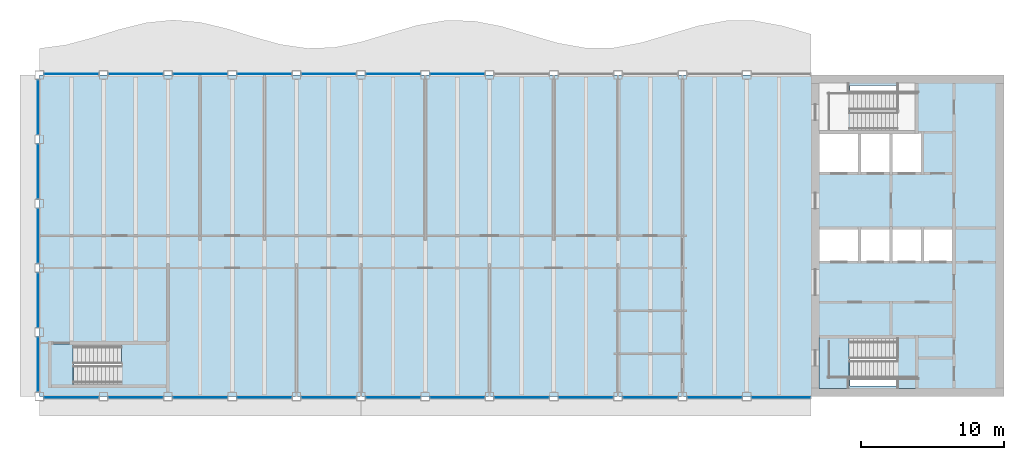
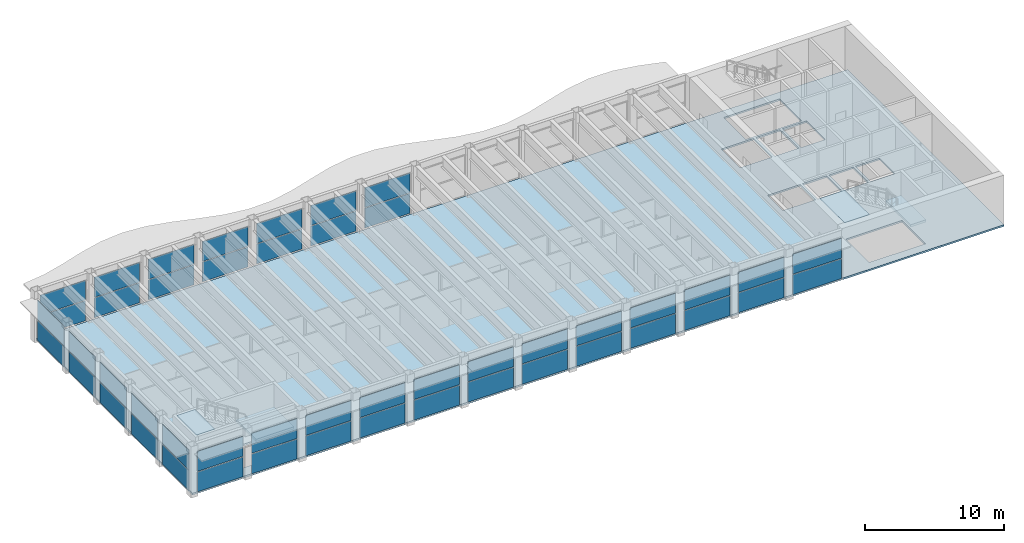
# One storey, part 7 of 14: 48 plates, 5 slabs, 26 elements without a shape of their own.
"""IFC4 building model written with IfcOpenShell, lengths in metres."""

import ifcopenshell
import ifcopenshell.guid

model = None  # the IFC model being written
_history = None  # IfcOwnerHistory: only IFC2X3 demands one
_inside = {}  # id of a spatial element -> (the spatial element, [elements in it])
_under = {}  # id of a project, library or spatial element -> (it, [spatial elements below it])
_declared = {}  # id of a project -> (the project, [libraries it declares])
_typed = {}  # id of a type object -> (the type object, [elements of that type])
_made_of = {}  # id of a material, layer set ... -> (it, [elements and type objects made of it])


def new_model(schema):
    """Start an empty IFC model of exactly this schema.

    Asked for "IFC4X3", IfcOpenShell would pick the latest addendum, in which some entities
    have other attributes; the version numbers below select the first issue.
    IFC2X3 requires an IfcOwnerHistory on every rooted entity: one is made here for all.
    """
    global model, _history
    if schema == "IFC4X3":
        model = ifcopenshell.file(schema_version=(4, 3, 0, 0))
    else:
        model = ifcopenshell.file(schema=schema)
    _inside.clear()
    _under.clear()
    _declared.clear()
    _typed.clear()
    _made_of.clear()
    _history = None
    if model.schema == "IFC2X3":
        org = make("IfcOrganization", Name="unknown")
        user = make(
            "IfcPersonAndOrganization",
            ThePerson=make("IfcPerson", FamilyName="unknown"),
            TheOrganization=org,
        )
        app = make(
            "IfcApplication",
            ApplicationDeveloper=org,
            Version="unknown",
            ApplicationFullName="unknown",
            ApplicationIdentifier="unknown",
        )
        _history = make(
            "IfcOwnerHistory",
            OwningUser=user,
            OwningApplication=app,
            ChangeAction="ADDED",
            CreationDate=0,
        )
    return model


def make(cls, **values):
    """One entity of the class cls with the attributes given. An attribute that is None is left unset."""
    return model.create_entity(
        cls, **{name: value for name, value in values.items() if value is not None}
    )


def rooted(cls, **values):
    """An entity with a GlobalId (a new one), such as an element, a storey or a relation."""
    return make(cls, GlobalId=ifcopenshell.guid.new(), OwnerHistory=_history, **values)


def si_unit(unit_type, name, prefix=None):
    """IfcSIUnit, for example si_unit("LENGTHUNIT", "METRE", prefix="MILLI")."""
    return make("IfcSIUnit", UnitType=unit_type, Prefix=prefix, Name=name)


def assignment(units):
    """IfcUnitAssignment: the units of a project."""
    return None if units is None else make("IfcUnitAssignment", Units=units)


def point(xyz):
    """IfcCartesianPoint."""
    return None if xyz is None else make("IfcCartesianPoint", Coordinates=xyz)


def direction(xyz):
    """IfcDirection."""
    return None if xyz is None else make("IfcDirection", DirectionRatios=xyz)


def frame(location, z_axis=None, x_axis=None):
    """IfcAxis2Placement3D, a coordinate frame: its origin and axes. An axis left out is left unset."""
    return make(
        "IfcAxis2Placement3D",
        Location=point(location),
        Axis=direction(z_axis),
        RefDirection=direction(x_axis),
    )


def frame_2d(location, x_axis=None):
    """IfcAxis2Placement2D, a coordinate frame in the plane: its origin and x axis."""
    return make(
        "IfcAxis2Placement2D", Location=point(location), RefDirection=direction(x_axis)
    )


def origin():
    """The frame at (0, 0, 0) with its axes left unset."""
    return frame((0.0, 0.0, 0.0))


def origin_2d():
    """The frame at (0, 0) in the plane with its x axis left unset."""
    return frame_2d((0.0, 0.0))


def place(relative_to, where):
    """IfcLocalPlacement: puts the frame where relative to a parent placement (None: the world)."""
    return make(
        "IfcLocalPlacement", PlacementRelTo=relative_to, RelativePlacement=where
    )


def context(
    kind, dimensions, precision=None, world=None, true_north=None, identifier=None
):
    """IfcGeometricRepresentationContext, for example the 3D "Model" context."""
    return make(
        "IfcGeometricRepresentationContext",
        ContextIdentifier=identifier,
        ContextType=kind,
        CoordinateSpaceDimension=dimensions,
        Precision=precision,
        WorldCoordinateSystem=world,
        TrueNorth=true_north,
    )


def subcontext(parent, identifier, kind, view, scale=None):
    """IfcGeometricRepresentationSubContext, for example "Body" below "Model"."""
    return make(
        "IfcGeometricRepresentationSubContext",
        ContextIdentifier=identifier,
        ContextType=kind,
        ParentContext=parent,
        TargetScale=scale,
        TargetView=view,
    )


def project(units=None, contexts=None):
    """IfcProject with its units and contexts."""
    return rooted(
        "IfcProject",
        Name="project",
        RepresentationContexts=contexts,
        UnitsInContext=assignment(units),
    )


def spatial(cls, under=None, at=None, **own):
    """A site, building, storey or space (cls), placed at a placement, below another one or the project."""
    s = rooted(cls, ObjectPlacement=at, **own)
    if under is not None:
        _under.setdefault(under.id(), (under, []))[1].append(s)
    return s


def polyline(points):
    """IfcPolyline through the points."""
    return make("IfcPolyline", Points=[point(p) for p in points])


def profile(cls, at=None, kind="AREA", **sizes):
    """A parametric profile (cls). Its sizes go by their IFC names, for example OverallWidth=200.0."""
    return make(cls, ProfileType=kind, Position=at, **sizes)


def rectangle(**sizes):
    """IfcRectangleProfileDef."""
    return profile("IfcRectangleProfileDef", **sizes)


def outline(outer, holes=None, kind="AREA"):
    """IfcArbitraryClosedProfileDef: a profile drawn as a closed curve; with holes, ...WithVoids."""
    if holes is None:
        return make("IfcArbitraryClosedProfileDef", ProfileType=kind, OuterCurve=outer)
    return make(
        "IfcArbitraryProfileDefWithVoids",
        ProfileType=kind,
        OuterCurve=outer,
        InnerCurves=holes,
    )


def extrude(swept, where, along, depth):
    """IfcExtrudedAreaSolid: the profile swept, set in the frame where, extruded along a direction by depth."""
    return make(
        "IfcExtrudedAreaSolid",
        SweptArea=swept,
        Position=where,
        ExtrudedDirection=direction(along),
        Depth=depth,
    )


def shape(context_of_items, identifier, shape_type, items):
    """IfcShapeRepresentation: the items that make up one representation, for example the "Body"."""
    return make(
        "IfcShapeRepresentation",
        ContextOfItems=context_of_items,
        RepresentationIdentifier=identifier,
        RepresentationType=shape_type,
        Items=items,
    )


def material(Name=None, Category=None):
    """IfcMaterial."""
    return make("IfcMaterial", Name=Name, Category=Category)


def layer(
    of_material, thickness, ventilated=None, Name=None, Category=None, Priority=None
):
    """IfcMaterialLayer: one layer of a wall or slab, of a material (None: an air gap)."""
    return make(
        "IfcMaterialLayer",
        Material=of_material,
        LayerThickness=thickness,
        IsVentilated=ventilated,
        Name=Name,
        Category=Category,
        Priority=Priority,
    )


def layer_set(layers, Name=None):
    """IfcMaterialLayerSet."""
    return make("IfcMaterialLayerSet", MaterialLayers=layers, LayerSetName=Name)


def made_of(thing, what):
    """Note that an element or type object is made of a material, layer set ...; save() writes the relation."""
    if what is not None:
        _made_of.setdefault(what.id(), (what, []))[1].append(thing)
    return thing


def type_object(cls, material=None, **own):
    """A type object (cls), such as IfcWallType, which elements share."""
    return made_of(rooted(cls, **own), material)


def element(
    cls,
    number,
    at=None,
    inside=None,
    cuts=None,
    type_object=None,
    material=None,
    context=None,
    identifier="Body",
    shape_type=None,
    held_by="IfcProductDefinitionShape",
    body=None,
    shapes=None,
    **own,
):
    """One element of the class cls, such as IfcWall. Its Tag is "e" and its number.

    at: its placement. inside: the storey or other place that contains it. cuts: it is an
    opening in that element (IfcRelVoidsElement). A single representation is given by context,
    identifier, shape_type and body (its items); several are given by shapes. held_by: the class
    of the entity that holds the representations. save() writes the other relations.
    """
    e = rooted(cls, Tag="e%d" % number, ObjectPlacement=at, **own)
    if body is not None:
        shapes = [shape(context, identifier, shape_type, body)]
    if shapes is not None:
        e.Representation = make(held_by, Representations=shapes)
    if inside is not None:
        _inside.setdefault(inside.id(), (inside, []))[1].append(e)
    if cuts is not None:
        rooted(
            "IfcRelVoidsElement", RelatingBuildingElement=cuts, RelatedOpeningElement=e
        )
    if type_object is not None:
        _typed.setdefault(type_object.id(), (type_object, []))[1].append(e)
    return made_of(e, material)


def aggregate(whole, parts):
    """IfcRelAggregates: a whole, such as a stair, and the parts it consists of."""
    return rooted("IfcRelAggregates", RelatingObject=whole, RelatedObjects=parts)


def save(model, path):
    """Write the relations noted so far, then the file.

    IfcRelAggregates (storeys below a building ...), IfcRelContainedInSpatialStructure (elements
    in a storey), IfcRelDefinesByType, IfcRelAssociatesMaterial and IfcRelDeclares: one each for
    every whole, place, type object, material and project.
    """
    for whole, parts in _under.values():
        aggregate(whole, parts)
    for where, things in _inside.values():
        rooted(
            "IfcRelContainedInSpatialStructure",
            RelatedElements=things,
            RelatingStructure=where,
        )
    for kind, things in _typed.values():
        rooted("IfcRelDefinesByType", RelatedObjects=things, RelatingType=kind)
    for what, things in _made_of.values():
        rooted("IfcRelAssociatesMaterial", RelatedObjects=things, RelatingMaterial=what)
    for by, libraries in _declared.values():
        rooted("IfcRelDeclares", RelatingContext=by, RelatedDefinitions=libraries)
    model.write(path)


model = new_model("IFC4")

# Units and contexts
model_context = context("Model", 3, precision=1e-05, world=origin(), true_north=direction((0.0, 1.0)))
body_context = subcontext(model_context, "Body", "Model", "MODEL_VIEW")
ifc_project = project(units=[si_unit("LENGTHUNIT", "METRE"), si_unit("AREAUNIT", "SQUARE_METRE"), si_unit("VOLUMEUNIT", "CUBIC_METRE"), si_unit("PLANEANGLEUNIT", "RADIAN"), si_unit("MASSUNIT", "GRAM", prefix="KILO")], contexts=[model_context])

# Site, building, storey
site_placement = place(None, origin())
site = spatial("IfcSite", under=ifc_project, at=site_placement, CompositionType="ELEMENT")
building_placement = place(site_placement, origin())
building = spatial("IfcBuilding", under=site, at=building_placement, Name="Sennacour Bend Tower", CompositionType="ELEMENT")
storey_placement = place(building_placement, frame((0.0, 0.0, 305.0)))
storey = spatial("IfcBuildingStorey", under=building, at=storey_placement, Name="L70", CompositionType="ELEMENT", Elevation=305.0)

# Slab
ifc_material_1 = material(Name="Concrete C30/37", Category="concrete")
ifc_layer_1 = layer(ifc_material_1, 0.14990234375, Name="Concrete C30/37", Category="concrete")
ifc_layer_set_1 = layer_set([ifc_layer_1], Name="Concrete C30/37")
slab_type_1 = type_object("IfcSlabType", Name="Floor slab 150", PredefinedType="FLOOR", material=ifc_layer_set_1)
slab_1_placement = place(storey_placement, frame((0.0, 0.0, -0.14990234375)))
element("IfcSlab", 1, at=slab_1_placement, inside=storey, type_object=slab_type_1, Name="Floor slab L70-01", PredefinedType="FLOOR", context=body_context, shape_type="SweptSolid", body=[
    extrude(outline(polyline([(0.0, 22.5), (22.5, 22.5), (54.0, 22.5), (67.5, 22.5), (67.5, 0.0), (54.0, 0.0), (22.5, 0.0), (0.0, 0.0), (0.0, 22.5)]), holes=[polyline([(8.800048828125, 3.5), (2.429931640625, 3.5), (2.429931640625, 0.949951171875), (8.800048828125, 0.949951171875), (8.800048828125, 3.5)]), polyline([(61.39990234375, 4.125), (56.72998046875, 4.125), (56.72998046875, 0.75), (61.39990234375, 0.75), (61.39990234375, 4.125)]), polyline([(57.300048828125, 11.699951171875), (54.60009765625, 11.699951171875), (54.60009765625, 9.5), (57.300048828125, 9.5), (57.300048828125, 11.699951171875)]), polyline([(59.5, 9.5), (59.5, 11.699951171875), (57.5, 11.699951171875), (57.5, 9.5), (59.5, 9.5)]), polyline([(61.699951171875, 9.5), (61.699951171875, 11.699951171875), (59.699951171875, 11.699951171875), (59.699951171875, 9.5), (61.699951171875, 9.5)]), polyline([(63.89990234375, 11.699951171875), (61.89990234375, 11.699951171875), (61.89990234375, 9.5), (63.89990234375, 9.5), (63.89990234375, 11.699951171875)]), polyline([(57.300048828125, 18.39990234375), (54.60009765625, 18.39990234375), (54.60009765625, 15.699951171875), (57.300048828125, 15.699951171875), (57.300048828125, 18.39990234375)]), polyline([(59.5, 18.39990234375), (57.5, 18.39990234375), (57.5, 15.699951171875), (59.5, 15.699951171875), (59.5, 18.39990234375)]), polyline([(61.699951171875, 15.699951171875), (61.699951171875, 18.39990234375), (59.699951171875, 18.39990234375), (59.699951171875, 15.699951171875), (61.699951171875, 15.699951171875)]), polyline([(61.39990234375, 18.574951171875), (61.39990234375, 21.75), (56.72998046875, 21.75), (56.72998046875, 18.574951171875), (61.39990234375, 18.574951171875)])]), origin(), (0.0, 0.0, 1.0), 0.14990234375),
])

# Curtain wall, plates
ifc_material_2 = material(Name="Bronze anodised aluminium curtain wall with clear glass", Category="aluminium")
curtain_wall_type = type_object("IfcCurtainWallType", Name="CURTAIN WALL EXEC", PredefinedType="NOTDEFINED", material=ifc_material_2)
curtain_wall_1_placement = place(storey_placement, origin())
curtain_wall_1 = element("IfcCurtainWall", 2, at=curtain_wall_1_placement, inside=storey, type_object=curtain_wall_type, Name="Executive floor glass wall L70", PredefinedType="NOTDEFINED")
ifc_material_3 = material(Name="Clear low-emissivity glass", Category="glass")
ifc_layer_2 = layer(ifc_material_3, 0.031982421875, Name="Clear low-emissivity glass", Category="glass")
ifc_layer_set_2 = layer_set([ifc_layer_2], Name="Clear low-emissivity glass")
plate_type = type_object("IfcPlateType", Name="PNL-GLASS-IGU32", PredefinedType="CURTAIN_PANEL", material=ifc_layer_set_2)
plate_1_placement = place(storey_placement, frame((2.25, -0.074951171875, 0.06005859375), z_axis=(0.0, 0.0, 1.0), x_axis=(1.0, 0.0, 0.0)))
plate_1 = element("IfcPlate", 3, at=plate_1_placement, type_object=plate_type, Name="GW3 curtain wall panel 1.1", PredefinedType="CURTAIN_PANEL", context=body_context, shape_type="SweptSolid", body=[
    extrude(rectangle(XDim=3.780029296875, YDim=0.031982421875, at=origin_2d()), origin(), (0.0, 0.0, 1.0), 1.74609375),
])
plate_2_placement = place(storey_placement, frame((2.25, -0.074951171875, 1.865966796875), z_axis=(0.0, 0.0, 1.0), x_axis=(1.0, 0.0, 0.0)))
plate_2 = element("IfcPlate", 4, at=plate_2_placement, type_object=plate_type, Name="GW3 curtain wall panel 1.2", PredefinedType="CURTAIN_PANEL", context=body_context, shape_type="SweptSolid", body=[
    extrude(rectangle(XDim=3.780029296875, YDim=0.031982421875, at=origin_2d()), origin(), (0.0, 0.0, 1.0), 1.74609375),
])
aggregate(curtain_wall_1, [plate_1, plate_2])

curtain_wall_2_placement = place(storey_placement, origin())
curtain_wall_2 = element("IfcCurtainWall", 5, at=curtain_wall_2_placement, inside=storey, type_object=curtain_wall_type, Name="Executive floor glass wall L70", PredefinedType="NOTDEFINED")
plate_3_placement = place(storey_placement, frame((6.75, -0.074951171875, 0.06005859375), z_axis=(0.0, 0.0, 1.0), x_axis=(1.0, 0.0, 0.0)))
plate_3 = element("IfcPlate", 6, at=plate_3_placement, type_object=plate_type, Name="GW3 curtain wall panel 1.1", PredefinedType="CURTAIN_PANEL", context=body_context, shape_type="SweptSolid", body=[
    extrude(rectangle(XDim=3.780029296875, YDim=0.031982421875, at=origin_2d()), origin(), (0.0, 0.0, 1.0), 1.74609375),
])
plate_4_placement = place(storey_placement, frame((6.75, -0.074951171875, 1.865966796875), z_axis=(0.0, 0.0, 1.0), x_axis=(1.0, 0.0, 0.0)))
plate_4 = element("IfcPlate", 7, at=plate_4_placement, type_object=plate_type, Name="GW3 curtain wall panel 1.2", PredefinedType="CURTAIN_PANEL", context=body_context, shape_type="SweptSolid", body=[
    extrude(rectangle(XDim=3.780029296875, YDim=0.031982421875, at=origin_2d()), origin(), (0.0, 0.0, 1.0), 1.74609375),
])
aggregate(curtain_wall_2, [plate_3, plate_4])

curtain_wall_3_placement = place(storey_placement, origin())
curtain_wall_3 = element("IfcCurtainWall", 8, at=curtain_wall_3_placement, inside=storey, type_object=curtain_wall_type, Name="Executive floor glass wall L70", PredefinedType="NOTDEFINED")
plate_5_placement = place(storey_placement, frame((11.25, -0.074951171875, 0.06005859375), z_axis=(0.0, 0.0, 1.0), x_axis=(1.0, 0.0, 0.0)))
plate_5 = element("IfcPlate", 9, at=plate_5_placement, type_object=plate_type, Name="GW3 curtain wall panel 1.1", PredefinedType="CURTAIN_PANEL", context=body_context, shape_type="SweptSolid", body=[
    extrude(rectangle(XDim=3.780029296875, YDim=0.031982421875, at=origin_2d()), origin(), (0.0, 0.0, 1.0), 1.74609375),
])
plate_6_placement = place(storey_placement, frame((11.25, -0.074951171875, 1.865966796875), z_axis=(0.0, 0.0, 1.0), x_axis=(1.0, 0.0, 0.0)))
plate_6 = element("IfcPlate", 10, at=plate_6_placement, type_object=plate_type, Name="GW3 curtain wall panel 1.2", PredefinedType="CURTAIN_PANEL", context=body_context, shape_type="SweptSolid", body=[
    extrude(rectangle(XDim=3.780029296875, YDim=0.031982421875, at=origin_2d()), origin(), (0.0, 0.0, 1.0), 1.74609375),
])
aggregate(curtain_wall_3, [plate_5, plate_6])

curtain_wall_4_placement = place(storey_placement, origin())
curtain_wall_4 = element("IfcCurtainWall", 11, at=curtain_wall_4_placement, inside=storey, type_object=curtain_wall_type, Name="Executive floor glass wall L70", PredefinedType="NOTDEFINED")
plate_7_placement = place(storey_placement, frame((15.75, -0.074951171875, 0.06005859375), z_axis=(0.0, 0.0, 1.0), x_axis=(1.0, 0.0, 0.0)))
plate_7 = element("IfcPlate", 12, at=plate_7_placement, type_object=plate_type, Name="GW3 curtain wall panel 1.1", PredefinedType="CURTAIN_PANEL", context=body_context, shape_type="SweptSolid", body=[
    extrude(rectangle(XDim=3.780029296875, YDim=0.031982421875, at=origin_2d()), origin(), (0.0, 0.0, 1.0), 1.74609375),
])
plate_8_placement = place(storey_placement, frame((15.75, -0.074951171875, 1.865966796875), z_axis=(0.0, 0.0, 1.0), x_axis=(1.0, 0.0, 0.0)))
plate_8 = element("IfcPlate", 13, at=plate_8_placement, type_object=plate_type, Name="GW3 curtain wall panel 1.2", PredefinedType="CURTAIN_PANEL", context=body_context, shape_type="SweptSolid", body=[
    extrude(rectangle(XDim=3.780029296875, YDim=0.031982421875, at=origin_2d()), origin(), (0.0, 0.0, 1.0), 1.74609375),
])
aggregate(curtain_wall_4, [plate_7, plate_8])

curtain_wall_5_placement = place(storey_placement, origin())
curtain_wall_5 = element("IfcCurtainWall", 14, at=curtain_wall_5_placement, inside=storey, type_object=curtain_wall_type, Name="Executive floor glass wall L70", PredefinedType="NOTDEFINED")
plate_9_placement = place(storey_placement, frame((20.25, -0.074951171875, 0.06005859375), z_axis=(0.0, 0.0, 1.0), x_axis=(1.0, 0.0, 0.0)))
plate_9 = element("IfcPlate", 15, at=plate_9_placement, type_object=plate_type, Name="GW3 curtain wall panel 1.1", PredefinedType="CURTAIN_PANEL", context=body_context, shape_type="SweptSolid", body=[
    extrude(rectangle(XDim=3.780029296875, YDim=0.031982421875, at=origin_2d()), origin(), (0.0, 0.0, 1.0), 1.74609375),
])
plate_10_placement = place(storey_placement, frame((20.25, -0.074951171875, 1.865966796875), z_axis=(0.0, 0.0, 1.0), x_axis=(1.0, 0.0, 0.0)))
plate_10 = element("IfcPlate", 16, at=plate_10_placement, type_object=plate_type, Name="GW3 curtain wall panel 1.2", PredefinedType="CURTAIN_PANEL", context=body_context, shape_type="SweptSolid", body=[
    extrude(rectangle(XDim=3.780029296875, YDim=0.031982421875, at=origin_2d()), origin(), (0.0, 0.0, 1.0), 1.74609375),
])
aggregate(curtain_wall_5, [plate_9, plate_10])

curtain_wall_6_placement = place(storey_placement, origin())
curtain_wall_6 = element("IfcCurtainWall", 17, at=curtain_wall_6_placement, inside=storey, type_object=curtain_wall_type, Name="Executive floor glass wall L70", PredefinedType="NOTDEFINED")
plate_11_placement = place(storey_placement, frame((24.75, -0.074951171875, 0.06005859375), z_axis=(0.0, 0.0, 1.0), x_axis=(1.0, 0.0, 0.0)))
plate_11 = element("IfcPlate", 18, at=plate_11_placement, type_object=plate_type, Name="GW3 curtain wall panel 1.1", PredefinedType="CURTAIN_PANEL", context=body_context, shape_type="SweptSolid", body=[
    extrude(rectangle(XDim=3.780029296875, YDim=0.031982421875, at=origin_2d()), origin(), (0.0, 0.0, 1.0), 1.74609375),
])
plate_12_placement = place(storey_placement, frame((24.75, -0.074951171875, 1.865966796875), z_axis=(0.0, 0.0, 1.0), x_axis=(1.0, 0.0, 0.0)))
plate_12 = element("IfcPlate", 19, at=plate_12_placement, type_object=plate_type, Name="GW3 curtain wall panel 1.2", PredefinedType="CURTAIN_PANEL", context=body_context, shape_type="SweptSolid", body=[
    extrude(rectangle(XDim=3.780029296875, YDim=0.031982421875, at=origin_2d()), origin(), (0.0, 0.0, 1.0), 1.74609375),
])
aggregate(curtain_wall_6, [plate_11, plate_12])

curtain_wall_7_placement = place(storey_placement, origin())
curtain_wall_7 = element("IfcCurtainWall", 20, at=curtain_wall_7_placement, inside=storey, type_object=curtain_wall_type, Name="Executive floor glass wall L70", PredefinedType="NOTDEFINED")
plate_13_placement = place(storey_placement, frame((29.25, -0.074951171875, 0.06005859375), z_axis=(0.0, 0.0, 1.0), x_axis=(1.0, 0.0, 0.0)))
plate_13 = element("IfcPlate", 21, at=plate_13_placement, type_object=plate_type, Name="GW3 curtain wall panel 1.1", PredefinedType="CURTAIN_PANEL", context=body_context, shape_type="SweptSolid", body=[
    extrude(rectangle(XDim=3.780029296875, YDim=0.031982421875, at=origin_2d()), origin(), (0.0, 0.0, 1.0), 1.74609375),
])
plate_14_placement = place(storey_placement, frame((29.25, -0.074951171875, 1.865966796875), z_axis=(0.0, 0.0, 1.0), x_axis=(1.0, 0.0, 0.0)))
plate_14 = element("IfcPlate", 22, at=plate_14_placement, type_object=plate_type, Name="GW3 curtain wall panel 1.2", PredefinedType="CURTAIN_PANEL", context=body_context, shape_type="SweptSolid", body=[
    extrude(rectangle(XDim=3.780029296875, YDim=0.031982421875, at=origin_2d()), origin(), (0.0, 0.0, 1.0), 1.74609375),
])
aggregate(curtain_wall_7, [plate_13, plate_14])

curtain_wall_8_placement = place(storey_placement, origin())
curtain_wall_8 = element("IfcCurtainWall", 23, at=curtain_wall_8_placement, inside=storey, type_object=curtain_wall_type, Name="Executive floor glass wall L70", PredefinedType="NOTDEFINED")
plate_15_placement = place(storey_placement, frame((33.75, -0.074951171875, 0.06005859375), z_axis=(0.0, 0.0, 1.0), x_axis=(1.0, 0.0, 0.0)))
plate_15 = element("IfcPlate", 24, at=plate_15_placement, type_object=plate_type, Name="GW3 curtain wall panel 1.1", PredefinedType="CURTAIN_PANEL", context=body_context, shape_type="SweptSolid", body=[
    extrude(rectangle(XDim=3.780029296875, YDim=0.031982421875, at=origin_2d()), origin(), (0.0, 0.0, 1.0), 1.74609375),
])
plate_16_placement = place(storey_placement, frame((33.75, -0.074951171875, 1.865966796875), z_axis=(0.0, 0.0, 1.0), x_axis=(1.0, 0.0, 0.0)))
plate_16 = element("IfcPlate", 25, at=plate_16_placement, type_object=plate_type, Name="GW3 curtain wall panel 1.2", PredefinedType="CURTAIN_PANEL", context=body_context, shape_type="SweptSolid", body=[
    extrude(rectangle(XDim=3.780029296875, YDim=0.031982421875, at=origin_2d()), origin(), (0.0, 0.0, 1.0), 1.74609375),
])
aggregate(curtain_wall_8, [plate_15, plate_16])

curtain_wall_9_placement = place(storey_placement, origin())
curtain_wall_9 = element("IfcCurtainWall", 26, at=curtain_wall_9_placement, inside=storey, type_object=curtain_wall_type, Name="Executive floor glass wall L70", PredefinedType="NOTDEFINED")
plate_17_placement = place(storey_placement, frame((38.25, -0.074951171875, 0.06005859375), z_axis=(0.0, 0.0, 1.0), x_axis=(1.0, 0.0, 0.0)))
plate_17 = element("IfcPlate", 27, at=plate_17_placement, type_object=plate_type, Name="GW3 curtain wall panel 1.1", PredefinedType="CURTAIN_PANEL", context=body_context, shape_type="SweptSolid", body=[
    extrude(rectangle(XDim=3.780029296875, YDim=0.031982421875, at=origin_2d()), origin(), (0.0, 0.0, 1.0), 1.74609375),
])
plate_18_placement = place(storey_placement, frame((38.25, -0.074951171875, 1.865966796875), z_axis=(0.0, 0.0, 1.0), x_axis=(1.0, 0.0, 0.0)))
plate_18 = element("IfcPlate", 28, at=plate_18_placement, type_object=plate_type, Name="GW3 curtain wall panel 1.2", PredefinedType="CURTAIN_PANEL", context=body_context, shape_type="SweptSolid", body=[
    extrude(rectangle(XDim=3.780029296875, YDim=0.031982421875, at=origin_2d()), origin(), (0.0, 0.0, 1.0), 1.74609375),
])
aggregate(curtain_wall_9, [plate_17, plate_18])

curtain_wall_10_placement = place(storey_placement, origin())
curtain_wall_10 = element("IfcCurtainWall", 29, at=curtain_wall_10_placement, inside=storey, type_object=curtain_wall_type, Name="Executive floor glass wall L70", PredefinedType="NOTDEFINED")
plate_19_placement = place(storey_placement, frame((42.75, -0.074951171875, 0.06005859375), z_axis=(0.0, 0.0, 1.0), x_axis=(1.0, 0.0, 0.0)))
plate_19 = element("IfcPlate", 30, at=plate_19_placement, type_object=plate_type, Name="GW3 curtain wall panel 1.1", PredefinedType="CURTAIN_PANEL", context=body_context, shape_type="SweptSolid", body=[
    extrude(rectangle(XDim=3.780029296875, YDim=0.031982421875, at=origin_2d()), origin(), (0.0, 0.0, 1.0), 1.74609375),
])
plate_20_placement = place(storey_placement, frame((42.75, -0.074951171875, 1.865966796875), z_axis=(0.0, 0.0, 1.0), x_axis=(1.0, 0.0, 0.0)))
plate_20 = element("IfcPlate", 31, at=plate_20_placement, type_object=plate_type, Name="GW3 curtain wall panel 1.2", PredefinedType="CURTAIN_PANEL", context=body_context, shape_type="SweptSolid", body=[
    extrude(rectangle(XDim=3.780029296875, YDim=0.031982421875, at=origin_2d()), origin(), (0.0, 0.0, 1.0), 1.74609375),
])
aggregate(curtain_wall_10, [plate_19, plate_20])

curtain_wall_11_placement = place(storey_placement, origin())
curtain_wall_11 = element("IfcCurtainWall", 32, at=curtain_wall_11_placement, inside=storey, type_object=curtain_wall_type, Name="Executive floor glass wall L70", PredefinedType="NOTDEFINED")
plate_21_placement = place(storey_placement, frame((47.25, -0.074951171875, 0.06005859375), z_axis=(0.0, 0.0, 1.0), x_axis=(1.0, 0.0, 0.0)))
plate_21 = element("IfcPlate", 33, at=plate_21_placement, type_object=plate_type, Name="GW3 curtain wall panel 1.1", PredefinedType="CURTAIN_PANEL", context=body_context, shape_type="SweptSolid", body=[
    extrude(rectangle(XDim=3.780029296875, YDim=0.031982421875, at=origin_2d()), origin(), (0.0, 0.0, 1.0), 1.74609375),
])
plate_22_placement = place(storey_placement, frame((47.25, -0.074951171875, 1.865966796875), z_axis=(0.0, 0.0, 1.0), x_axis=(1.0, 0.0, 0.0)))
plate_22 = element("IfcPlate", 34, at=plate_22_placement, type_object=plate_type, Name="GW3 curtain wall panel 1.2", PredefinedType="CURTAIN_PANEL", context=body_context, shape_type="SweptSolid", body=[
    extrude(rectangle(XDim=3.780029296875, YDim=0.031982421875, at=origin_2d()), origin(), (0.0, 0.0, 1.0), 1.74609375),
])
aggregate(curtain_wall_11, [plate_21, plate_22])

curtain_wall_12_placement = place(storey_placement, origin())
curtain_wall_12 = element("IfcCurtainWall", 35, at=curtain_wall_12_placement, inside=storey, type_object=curtain_wall_type, Name="Executive floor glass wall L70", PredefinedType="NOTDEFINED")
plate_23_placement = place(storey_placement, frame((51.89990234375, -0.074951171875, 0.06005859375), z_axis=(0.0, 0.0, 1.0), x_axis=(1.0, 0.0, 0.0)))
plate_23 = element("IfcPlate", 36, at=plate_23_placement, type_object=plate_type, Name="GW3 curtain wall panel 1.1", PredefinedType="CURTAIN_PANEL", context=body_context, shape_type="SweptSolid", body=[
    extrude(rectangle(XDim=4.080078125, YDim=0.031982421875, at=origin_2d()), origin(), (0.0, 0.0, 1.0), 1.74609375),
])
plate_24_placement = place(storey_placement, frame((51.89990234375, -0.074951171875, 1.865966796875), z_axis=(0.0, 0.0, 1.0), x_axis=(1.0, 0.0, 0.0)))
plate_24 = element("IfcPlate", 37, at=plate_24_placement, type_object=plate_type, Name="GW3 curtain wall panel 1.2", PredefinedType="CURTAIN_PANEL", context=body_context, shape_type="SweptSolid", body=[
    extrude(rectangle(XDim=4.080078125, YDim=0.031982421875, at=origin_2d()), origin(), (0.0, 0.0, 1.0), 1.74609375),
])
aggregate(curtain_wall_12, [plate_23, plate_24])

curtain_wall_13_placement = place(storey_placement, origin())
curtain_wall_13 = element("IfcCurtainWall", 38, at=curtain_wall_13_placement, inside=storey, type_object=curtain_wall_type, Name="Executive floor glass wall L70", PredefinedType="NOTDEFINED")
plate_25_placement = place(storey_placement, frame((29.25, 22.574951171875, 0.06005859375), z_axis=(0.0, 0.0, 1.0), x_axis=(-1.0, 0.0, 0.0)))
plate_25 = element("IfcPlate", 39, at=plate_25_placement, type_object=plate_type, Name="GW3 curtain wall panel 1.1", PredefinedType="CURTAIN_PANEL", context=body_context, shape_type="SweptSolid", body=[
    extrude(rectangle(XDim=3.780029296875, YDim=0.031982421875, at=origin_2d()), origin(), (0.0, 0.0, 1.0), 1.74609375),
])
plate_26_placement = place(storey_placement, frame((29.25, 22.574951171875, 1.865966796875), z_axis=(0.0, 0.0, 1.0), x_axis=(-1.0, 0.0, 0.0)))
plate_26 = element("IfcPlate", 40, at=plate_26_placement, type_object=plate_type, Name="GW3 curtain wall panel 1.2", PredefinedType="CURTAIN_PANEL", context=body_context, shape_type="SweptSolid", body=[
    extrude(rectangle(XDim=3.780029296875, YDim=0.031982421875, at=origin_2d()), origin(), (0.0, 0.0, 1.0), 1.74609375),
])
aggregate(curtain_wall_13, [plate_25, plate_26])

curtain_wall_14_placement = place(storey_placement, origin())
curtain_wall_14 = element("IfcCurtainWall", 41, at=curtain_wall_14_placement, inside=storey, type_object=curtain_wall_type, Name="Executive floor glass wall L70", PredefinedType="NOTDEFINED")
plate_27_placement = place(storey_placement, frame((24.75, 22.574951171875, 0.06005859375), z_axis=(0.0, 0.0, 1.0), x_axis=(-1.0, 0.0, 0.0)))
plate_27 = element("IfcPlate", 42, at=plate_27_placement, type_object=plate_type, Name="GW3 curtain wall panel 1.1", PredefinedType="CURTAIN_PANEL", context=body_context, shape_type="SweptSolid", body=[
    extrude(rectangle(XDim=3.780029296875, YDim=0.031982421875, at=origin_2d()), origin(), (0.0, 0.0, 1.0), 1.74609375),
])
plate_28_placement = place(storey_placement, frame((24.75, 22.574951171875, 1.865966796875), z_axis=(0.0, 0.0, 1.0), x_axis=(-1.0, 0.0, 0.0)))
plate_28 = element("IfcPlate", 43, at=plate_28_placement, type_object=plate_type, Name="GW3 curtain wall panel 1.2", PredefinedType="CURTAIN_PANEL", context=body_context, shape_type="SweptSolid", body=[
    extrude(rectangle(XDim=3.780029296875, YDim=0.031982421875, at=origin_2d()), origin(), (0.0, 0.0, 1.0), 1.74609375),
])
aggregate(curtain_wall_14, [plate_27, plate_28])

curtain_wall_15_placement = place(storey_placement, origin())
curtain_wall_15 = element("IfcCurtainWall", 44, at=curtain_wall_15_placement, inside=storey, type_object=curtain_wall_type, Name="Executive floor glass wall L70", PredefinedType="NOTDEFINED")
plate_29_placement = place(storey_placement, frame((20.25, 22.574951171875, 0.06005859375), z_axis=(0.0, 0.0, 1.0), x_axis=(-1.0, 0.0, 0.0)))
plate_29 = element("IfcPlate", 45, at=plate_29_placement, type_object=plate_type, Name="GW3 curtain wall panel 1.1", PredefinedType="CURTAIN_PANEL", context=body_context, shape_type="SweptSolid", body=[
    extrude(rectangle(XDim=3.780029296875, YDim=0.031982421875, at=origin_2d()), origin(), (0.0, 0.0, 1.0), 1.74609375),
])
plate_30_placement = place(storey_placement, frame((20.25, 22.574951171875, 1.865966796875), z_axis=(0.0, 0.0, 1.0), x_axis=(-1.0, 0.0, 0.0)))
plate_30 = element("IfcPlate", 46, at=plate_30_placement, type_object=plate_type, Name="GW3 curtain wall panel 1.2", PredefinedType="CURTAIN_PANEL", context=body_context, shape_type="SweptSolid", body=[
    extrude(rectangle(XDim=3.780029296875, YDim=0.031982421875, at=origin_2d()), origin(), (0.0, 0.0, 1.0), 1.74609375),
])
aggregate(curtain_wall_15, [plate_29, plate_30])

curtain_wall_16_placement = place(storey_placement, origin())
curtain_wall_16 = element("IfcCurtainWall", 47, at=curtain_wall_16_placement, inside=storey, type_object=curtain_wall_type, Name="Executive floor glass wall L70", PredefinedType="NOTDEFINED")
plate_31_placement = place(storey_placement, frame((15.75, 22.574951171875, 0.06005859375), z_axis=(0.0, 0.0, 1.0), x_axis=(-1.0, 0.0, 0.0)))
plate_31 = element("IfcPlate", 48, at=plate_31_placement, type_object=plate_type, Name="GW3 curtain wall panel 1.1", PredefinedType="CURTAIN_PANEL", context=body_context, shape_type="SweptSolid", body=[
    extrude(rectangle(XDim=3.780029296875, YDim=0.031982421875, at=origin_2d()), origin(), (0.0, 0.0, 1.0), 1.74609375),
])
plate_32_placement = place(storey_placement, frame((15.75, 22.574951171875, 1.865966796875), z_axis=(0.0, 0.0, 1.0), x_axis=(-1.0, 0.0, 0.0)))
plate_32 = element("IfcPlate", 49, at=plate_32_placement, type_object=plate_type, Name="GW3 curtain wall panel 1.2", PredefinedType="CURTAIN_PANEL", context=body_context, shape_type="SweptSolid", body=[
    extrude(rectangle(XDim=3.780029296875, YDim=0.031982421875, at=origin_2d()), origin(), (0.0, 0.0, 1.0), 1.74609375),
])
aggregate(curtain_wall_16, [plate_31, plate_32])

curtain_wall_17_placement = place(storey_placement, origin())
curtain_wall_17 = element("IfcCurtainWall", 50, at=curtain_wall_17_placement, inside=storey, type_object=curtain_wall_type, Name="Executive floor glass wall L70", PredefinedType="NOTDEFINED")
plate_33_placement = place(storey_placement, frame((11.25, 22.574951171875, 0.06005859375), z_axis=(0.0, 0.0, 1.0), x_axis=(-1.0, 0.0, 0.0)))
plate_33 = element("IfcPlate", 51, at=plate_33_placement, type_object=plate_type, Name="GW3 curtain wall panel 1.1", PredefinedType="CURTAIN_PANEL", context=body_context, shape_type="SweptSolid", body=[
    extrude(rectangle(XDim=3.780029296875, YDim=0.031982421875, at=origin_2d()), origin(), (0.0, 0.0, 1.0), 1.74609375),
])
plate_34_placement = place(storey_placement, frame((11.25, 22.574951171875, 1.865966796875), z_axis=(0.0, 0.0, 1.0), x_axis=(-1.0, 0.0, 0.0)))
plate_34 = element("IfcPlate", 52, at=plate_34_placement, type_object=plate_type, Name="GW3 curtain wall panel 1.2", PredefinedType="CURTAIN_PANEL", context=body_context, shape_type="SweptSolid", body=[
    extrude(rectangle(XDim=3.780029296875, YDim=0.031982421875, at=origin_2d()), origin(), (0.0, 0.0, 1.0), 1.74609375),
])
aggregate(curtain_wall_17, [plate_33, plate_34])

curtain_wall_18_placement = place(storey_placement, origin())
curtain_wall_18 = element("IfcCurtainWall", 53, at=curtain_wall_18_placement, inside=storey, type_object=curtain_wall_type, Name="Executive floor glass wall L70", PredefinedType="NOTDEFINED")
plate_35_placement = place(storey_placement, frame((6.75, 22.574951171875, 0.06005859375), z_axis=(0.0, 0.0, 1.0), x_axis=(-1.0, 0.0, 0.0)))
plate_35 = element("IfcPlate", 54, at=plate_35_placement, type_object=plate_type, Name="GW3 curtain wall panel 1.1", PredefinedType="CURTAIN_PANEL", context=body_context, shape_type="SweptSolid", body=[
    extrude(rectangle(XDim=3.780029296875, YDim=0.031982421875, at=origin_2d()), origin(), (0.0, 0.0, 1.0), 1.74609375),
])
plate_36_placement = place(storey_placement, frame((6.75, 22.574951171875, 1.865966796875), z_axis=(0.0, 0.0, 1.0), x_axis=(-1.0, 0.0, 0.0)))
plate_36 = element("IfcPlate", 55, at=plate_36_placement, type_object=plate_type, Name="GW3 curtain wall panel 1.2", PredefinedType="CURTAIN_PANEL", context=body_context, shape_type="SweptSolid", body=[
    extrude(rectangle(XDim=3.780029296875, YDim=0.031982421875, at=origin_2d()), origin(), (0.0, 0.0, 1.0), 1.74609375),
])
aggregate(curtain_wall_18, [plate_35, plate_36])

curtain_wall_19_placement = place(storey_placement, origin())
curtain_wall_19 = element("IfcCurtainWall", 56, at=curtain_wall_19_placement, inside=storey, type_object=curtain_wall_type, Name="Executive floor glass wall L70", PredefinedType="NOTDEFINED")
plate_37_placement = place(storey_placement, frame((2.25, 22.574951171875, 0.06005859375), z_axis=(0.0, 0.0, 1.0), x_axis=(-1.0, 0.0, 0.0)))
plate_37 = element("IfcPlate", 57, at=plate_37_placement, type_object=plate_type, Name="GW3 curtain wall panel 1.1", PredefinedType="CURTAIN_PANEL", context=body_context, shape_type="SweptSolid", body=[
    extrude(rectangle(XDim=3.780029296875, YDim=0.031982421875, at=origin_2d()), origin(), (0.0, 0.0, 1.0), 1.74609375),
])
plate_38_placement = place(storey_placement, frame((2.25, 22.574951171875, 1.865966796875), z_axis=(0.0, 0.0, 1.0), x_axis=(-1.0, 0.0, 0.0)))
plate_38 = element("IfcPlate", 58, at=plate_38_placement, type_object=plate_type, Name="GW3 curtain wall panel 1.2", PredefinedType="CURTAIN_PANEL", context=body_context, shape_type="SweptSolid", body=[
    extrude(rectangle(XDim=3.780029296875, YDim=0.031982421875, at=origin_2d()), origin(), (0.0, 0.0, 1.0), 1.74609375),
])
aggregate(curtain_wall_19, [plate_37, plate_38])

curtain_wall_20_placement = place(storey_placement, origin())
curtain_wall_20 = element("IfcCurtainWall", 59, at=curtain_wall_20_placement, inside=storey, type_object=curtain_wall_type, Name="Executive floor glass wall L70", PredefinedType="NOTDEFINED")
plate_39_placement = place(storey_placement, frame((-0.074951171875, 20.25, 0.06005859375), z_axis=(0.0, 0.0, 1.0), x_axis=(0.0, -1.0, 0.0)))
plate_39 = element("IfcPlate", 60, at=plate_39_placement, type_object=plate_type, Name="GW3 curtain wall panel 1.1", PredefinedType="CURTAIN_PANEL", context=body_context, shape_type="SweptSolid", body=[
    extrude(rectangle(XDim=3.780029296875, YDim=0.031982421875, at=origin_2d()), origin(), (0.0, 0.0, 1.0), 1.74609375),
])
plate_40_placement = place(storey_placement, frame((-0.074951171875, 20.25, 1.865966796875), z_axis=(0.0, 0.0, 1.0), x_axis=(0.0, -1.0, 0.0)))
plate_40 = element("IfcPlate", 61, at=plate_40_placement, type_object=plate_type, Name="GW3 curtain wall panel 1.2", PredefinedType="CURTAIN_PANEL", context=body_context, shape_type="SweptSolid", body=[
    extrude(rectangle(XDim=3.780029296875, YDim=0.031982421875, at=origin_2d()), origin(), (0.0, 0.0, 1.0), 1.74609375),
])
aggregate(curtain_wall_20, [plate_39, plate_40])

curtain_wall_21_placement = place(storey_placement, origin())
curtain_wall_21 = element("IfcCurtainWall", 62, at=curtain_wall_21_placement, inside=storey, type_object=curtain_wall_type, Name="Executive floor glass wall L70", PredefinedType="NOTDEFINED")
plate_41_placement = place(storey_placement, frame((-0.074951171875, 15.75, 0.06005859375), z_axis=(0.0, 0.0, 1.0), x_axis=(0.0, -1.0, 0.0)))
plate_41 = element("IfcPlate", 63, at=plate_41_placement, type_object=plate_type, Name="GW3 curtain wall panel 1.1", PredefinedType="CURTAIN_PANEL", context=body_context, shape_type="SweptSolid", body=[
    extrude(rectangle(XDim=3.780029296875, YDim=0.031982421875, at=origin_2d()), origin(), (0.0, 0.0, 1.0), 1.74609375),
])
plate_42_placement = place(storey_placement, frame((-0.074951171875, 15.75, 1.865966796875), z_axis=(0.0, 0.0, 1.0), x_axis=(0.0, -1.0, 0.0)))
plate_42 = element("IfcPlate", 64, at=plate_42_placement, type_object=plate_type, Name="GW3 curtain wall panel 1.2", PredefinedType="CURTAIN_PANEL", context=body_context, shape_type="SweptSolid", body=[
    extrude(rectangle(XDim=3.780029296875, YDim=0.031982421875, at=origin_2d()), origin(), (0.0, 0.0, 1.0), 1.74609375),
])
aggregate(curtain_wall_21, [plate_41, plate_42])

curtain_wall_22_placement = place(storey_placement, origin())
curtain_wall_22 = element("IfcCurtainWall", 65, at=curtain_wall_22_placement, inside=storey, type_object=curtain_wall_type, Name="Executive floor glass wall L70", PredefinedType="NOTDEFINED")
plate_43_placement = place(storey_placement, frame((-0.074951171875, 11.25, 0.06005859375), z_axis=(0.0, 0.0, 1.0), x_axis=(0.0, -1.0, 0.0)))
plate_43 = element("IfcPlate", 66, at=plate_43_placement, type_object=plate_type, Name="GW3 curtain wall panel 1.1", PredefinedType="CURTAIN_PANEL", context=body_context, shape_type="SweptSolid", body=[
    extrude(rectangle(XDim=3.780029296875, YDim=0.031982421875, at=origin_2d()), origin(), (0.0, 0.0, 1.0), 1.74609375),
])
plate_44_placement = place(storey_placement, frame((-0.074951171875, 11.25, 1.865966796875), z_axis=(0.0, 0.0, 1.0), x_axis=(0.0, -1.0, 0.0)))
plate_44 = element("IfcPlate", 67, at=plate_44_placement, type_object=plate_type, Name="GW3 curtain wall panel 1.2", PredefinedType="CURTAIN_PANEL", context=body_context, shape_type="SweptSolid", body=[
    extrude(rectangle(XDim=3.780029296875, YDim=0.031982421875, at=origin_2d()), origin(), (0.0, 0.0, 1.0), 1.74609375),
])
aggregate(curtain_wall_22, [plate_43, plate_44])

curtain_wall_23_placement = place(storey_placement, origin())
curtain_wall_23 = element("IfcCurtainWall", 68, at=curtain_wall_23_placement, inside=storey, type_object=curtain_wall_type, Name="Executive floor glass wall L70", PredefinedType="NOTDEFINED")
plate_45_placement = place(storey_placement, frame((-0.074951171875, 6.75, 0.06005859375), z_axis=(0.0, 0.0, 1.0), x_axis=(0.0, -1.0, 0.0)))
plate_45 = element("IfcPlate", 69, at=plate_45_placement, type_object=plate_type, Name="GW3 curtain wall panel 1.1", PredefinedType="CURTAIN_PANEL", context=body_context, shape_type="SweptSolid", body=[
    extrude(rectangle(XDim=3.780029296875, YDim=0.031982421875, at=origin_2d()), origin(), (0.0, 0.0, 1.0), 1.74609375),
])
plate_46_placement = place(storey_placement, frame((-0.074951171875, 6.75, 1.865966796875), z_axis=(0.0, 0.0, 1.0), x_axis=(0.0, -1.0, 0.0)))
plate_46 = element("IfcPlate", 70, at=plate_46_placement, type_object=plate_type, Name="GW3 curtain wall panel 1.2", PredefinedType="CURTAIN_PANEL", context=body_context, shape_type="SweptSolid", body=[
    extrude(rectangle(XDim=3.780029296875, YDim=0.031982421875, at=origin_2d()), origin(), (0.0, 0.0, 1.0), 1.74609375),
])
aggregate(curtain_wall_23, [plate_45, plate_46])

curtain_wall_24_placement = place(storey_placement, origin())
curtain_wall_24 = element("IfcCurtainWall", 71, at=curtain_wall_24_placement, inside=storey, type_object=curtain_wall_type, Name="Executive floor glass wall L70", PredefinedType="NOTDEFINED")
plate_47_placement = place(storey_placement, frame((-0.074951171875, 2.25, 0.06005859375), z_axis=(0.0, 0.0, 1.0), x_axis=(0.0, -1.0, 0.0)))
plate_47 = element("IfcPlate", 72, at=plate_47_placement, type_object=plate_type, Name="GW3 curtain wall panel 1.1", PredefinedType="CURTAIN_PANEL", context=body_context, shape_type="SweptSolid", body=[
    extrude(rectangle(XDim=3.780029296875, YDim=0.031982421875, at=origin_2d()), origin(), (0.0, 0.0, 1.0), 1.74609375),
])
plate_48_placement = place(storey_placement, frame((-0.074951171875, 2.25, 1.865966796875), z_axis=(0.0, 0.0, 1.0), x_axis=(0.0, -1.0, 0.0)))
plate_48 = element("IfcPlate", 73, at=plate_48_placement, type_object=plate_type, Name="GW3 curtain wall panel 1.2", PredefinedType="CURTAIN_PANEL", context=body_context, shape_type="SweptSolid", body=[
    extrude(rectangle(XDim=3.780029296875, YDim=0.031982421875, at=origin_2d()), origin(), (0.0, 0.0, 1.0), 1.74609375),
])
aggregate(curtain_wall_24, [plate_47, plate_48])

# Slabs
ifc_material_4 = material(Name="Concrete C40/50", Category="concrete")
ifc_layer_3 = layer(ifc_material_4, 0.034912109375, Name="Concrete C40/50", Category="concrete")
ifc_layer_set_3 = layer_set([ifc_layer_3], Name="Concrete C40/50")
slab_type_2 = type_object("IfcSlabType", Name="Stair arrival nib 35", PredefinedType="FLOOR", material=ifc_layer_set_3)
slab_2_placement = place(storey_placement, frame((0.0, 0.0, 4.315185546875)))
element("IfcSlab", 74, at=slab_2_placement, inside=storey, type_object=slab_type_2, Name="L70 SA1 stair arrival nib", PredefinedType="FLOOR", context=body_context, shape_type="SweptSolid", body=[
    extrude(outline(polyline([(56.64208984375, 4.125), (54.550048828125, 4.125), (54.550048828125, 0.550048828125), (56.64208984375, 0.550048828125), (56.64208984375, 4.125)])), origin(), (0.0, 0.0, 1.0), 0.034912109375),
])
slab_3_placement = place(storey_placement, frame((0.0, 0.0, 4.315185546875)))
element("IfcSlab", 75, at=slab_3_placement, inside=storey, type_object=slab_type_2, Name="L70 SK1 stair arrival nib", PredefinedType="FLOOR", context=body_context, shape_type="SweptSolid", body=[
    extrude(outline(polyline([(2.342041015625, 3.675048828125), (0.800048828125, 3.675048828125), (0.800048828125, 0.800048828125), (2.342041015625, 0.800048828125), (2.342041015625, 3.675048828125)])), origin(), (0.0, 0.0, 1.0), 0.034912109375),
])

# Stair, slab
stair_type = type_object("IfcStairType", Name="ST-DOGLEG", PredefinedType="HALF_TURN_STAIR", material=ifc_material_4)
stair_1_placement = place(storey_placement, origin())
stair_1 = element("IfcStair", 76, at=stair_1_placement, inside=storey, type_object=stair_type, Name="L70 Exit stair A1", PredefinedType="HALF_TURN_STAIR")
ifc_layer_4 = layer(ifc_material_4, 0.199951171875, Name="Concrete C40/50", Category="concrete")
ifc_layer_set_4 = layer_set([ifc_layer_4], Name="Concrete C40/50")
slab_type_3 = type_object("IfcSlabType", Name="Stair landing 200", PredefinedType="LANDING", material=ifc_layer_set_4)
slab_4_placement = place(storey_placement, frame((0.0, 0.0, 2.050048828125)))
slab_4 = element("IfcSlab", 77, at=slab_4_placement, type_object=slab_type_3, Name="SA1 landing 1", PredefinedType="LANDING", context=body_context, shape_type="SweptSolid", body=[
    extrude(outline(polyline([(60.06005859375, 0.550048828125), (61.324951171875, 0.550048828125), (61.324951171875, 4.125), (60.06005859375, 4.125), (60.06005859375, 0.550048828125)])), origin(), (0.0, 0.0, 1.0), 0.199951171875),
])
aggregate(stair_1, [slab_4])

stair_2_placement = place(storey_placement, origin())
stair_2 = element("IfcStair", 78, at=stair_2_placement, inside=storey, type_object=stair_type, Name="L70 Exit stair K1", PredefinedType="HALF_TURN_STAIR")
slab_5_placement = place(storey_placement, frame((0.0, 0.0, 2.050048828125)))
slab_5 = element("IfcSlab", 79, at=slab_5_placement, type_object=slab_type_3, Name="SK1 landing 1", PredefinedType="LANDING", context=body_context, shape_type="SweptSolid", body=[
    extrude(outline(polyline([(5.760009765625, 0.800048828125), (8.925048828125, 0.800048828125), (8.925048828125, 3.675048828125), (5.760009765625, 3.675048828125), (5.760009765625, 0.800048828125)])), origin(), (0.0, 0.0, 1.0), 0.199951171875),
])
aggregate(stair_2, [slab_5])

save(model, "model.ifc")
